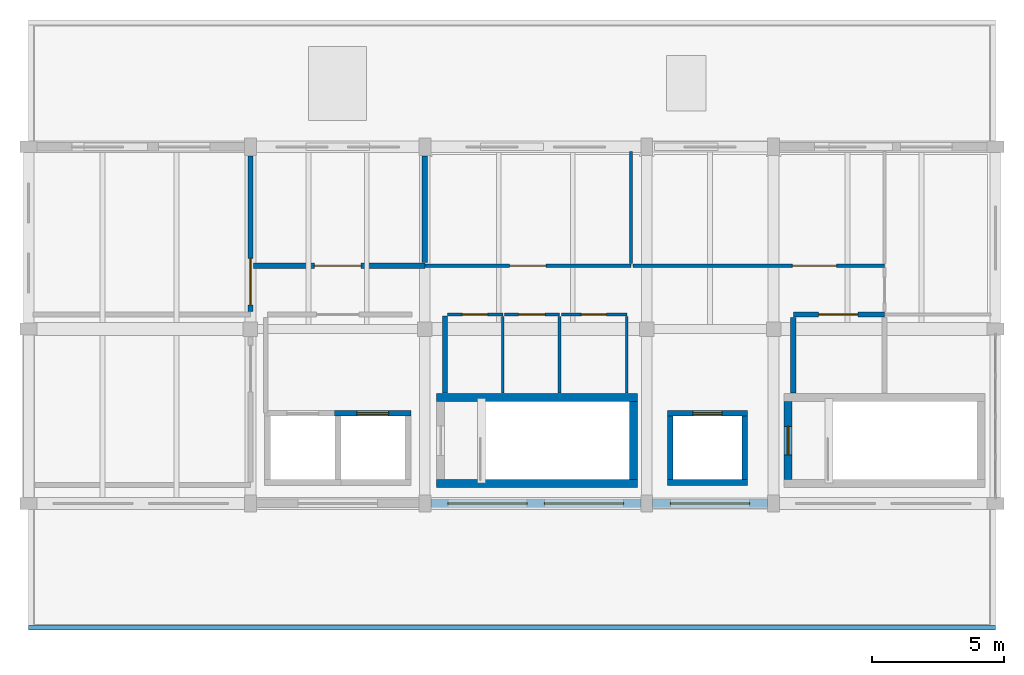
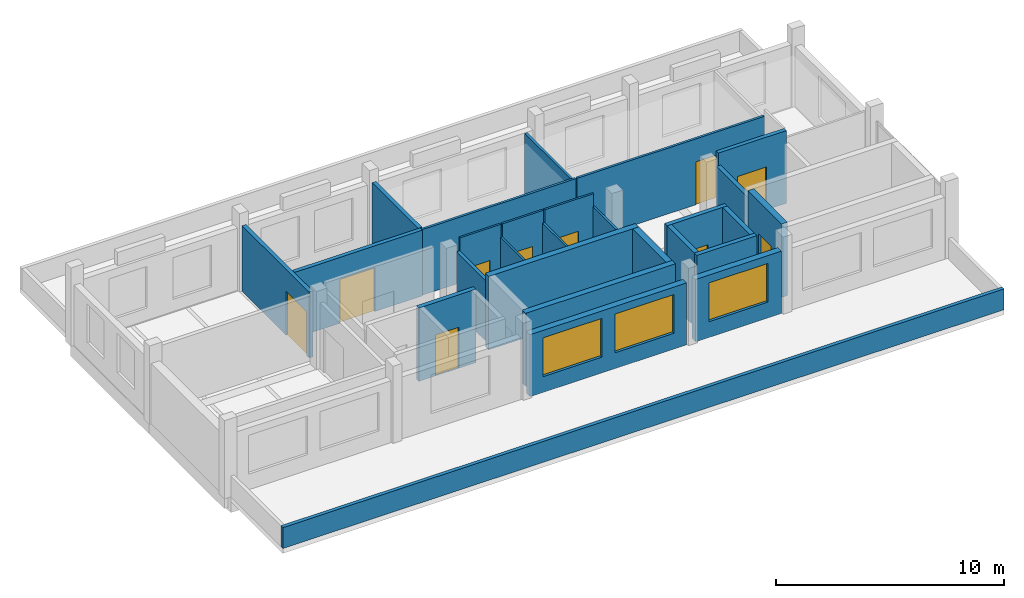
# One storey, part 4 of 6: 27 walls, 11 doors, 3 windows, 14 openings.
"""IFC4 building model written with IfcOpenShell, lengths in metres."""

from ifc_helpers import new_model, si_unit, direction, frame, frame_2d, origin, place, context, subcontext, project, spatial, rectangle, extrude, material, layer, layer_set, type_object, element, fill, save


model = new_model("IFC4")

# Units and contexts
model_context = context("Model", 3, precision=1e-05, world=origin(), true_north=direction((0.0, 1.0)))
body_context = subcontext(model_context, "Body", "Model", "MODEL_VIEW")
ifc_project = project(units=[si_unit("LENGTHUNIT", "METRE"), si_unit("AREAUNIT", "SQUARE_METRE"), si_unit("VOLUMEUNIT", "CUBIC_METRE"), si_unit("PLANEANGLEUNIT", "RADIAN"), si_unit("MASSUNIT", "GRAM", prefix="KILO")], contexts=[model_context])

# Site, building, storey
site_placement = place(None, origin())
site = spatial("IfcSite", under=ifc_project, at=site_placement, CompositionType="ELEMENT")
building_placement = place(site_placement, origin())
building = spatial("IfcBuilding", under=site, at=building_placement, Name="Dornvale Research Institute", CompositionType="ELEMENT")
storey_placement = place(building_placement, frame((0.0, 0.0, 46.800048828125)))
storey = spatial("IfcBuildingStorey", under=building, at=storey_placement, Name="L10", CompositionType="ELEMENT", Elevation=46.800048828125)

# Wall
ifc_material_1 = material(Name="Concrete f'c 40 MPa (C32/40)", Category="concrete")
ifc_layer_1 = layer(ifc_material_1, 0.179931640625)
ifc_layer_set_1 = layer_set([ifc_layer_1], Name="Concrete f'c 40 MPa (C32/40)")
wall_type_1 = type_object("IfcWallType", Name="Parapet_Terrace_180", PredefinedType="PARAPET", material=ifc_layer_set_1)
wall_1_placement = place(storey_placement, frame((4.800048828125, 99.090087890625, 0.0), z_axis=(0.0, 0.0, 1.0), x_axis=(1.0, 0.0, 0.0)))
element("IfcWall", 1, at=wall_1_placement, inside=storey, type_object=wall_type_1, Name="L10 L10APR-S parapet S", PredefinedType="PARAPET", context=body_context, shape_type="SweptSolid", body=[
    extrude(rectangle(XDim=36.599853515625, YDim=0.179931640625, at=frame_2d((18.2998046875, 0.0))), origin(), (0.0, 0.0, 1.0), 1.119873046875),
])

# Wall, opening, door
ifc_material_2 = material(Name="Acoustic Insulated Double-Stud Laboratory Partition")
ifc_layer_2 = layer(ifc_material_2, 0.1201171875)
ifc_layer_set_2 = layer_set([ifc_layer_2], Name="Acoustic Insulated Double-Stud Laboratory Partition")
wall_type_2 = type_object("IfcWallType", Name="Partition_Dry_120", PredefinedType="PARTITIONING", material=ifc_layer_set_2)
wall_2_placement = place(storey_placement, frame((19.81494140625, 112.800048828125, 0.0), z_axis=(0.0, 0.0, 1.0), x_axis=(1.0, 0.0, 0.0)))
wall_2 = element("IfcWall", 2, at=wall_2_placement, inside=storey, type_object=wall_type_2, Name="L10 V5 interior partition #620", PredefinedType="PARTITIONING", context=body_context, shape_type="SweptSolid", body=[
    extrude(rectangle(XDim=7.78515625, YDim=0.1201171875, at=frame_2d((3.892578125, 0.0))), origin(), (0.0, 0.0, 1.0), 3.530029296875),
])
opening_1_placement = place(wall_2_placement, frame((3.195068359375, 0.0, 0.0)))
opening_1 = element("IfcOpeningElement", 3, at=opening_1_placement, cuts=wall_2, Name="Opening ID-08", PredefinedType="OPENING", context=body_context, shape_type="SweptSolid", body=[
    extrude(rectangle(XDim=1.3798828125, YDim=2.25, at=frame_2d((0.68994140625, 1.125))), frame((0.0, 0.074951171875, 0.0), z_axis=(0.0, -1.0, 0.0), x_axis=(1.0, 0.0, 0.0)), (0.0, 0.0, 1.0), 0.150146484375),
])
ifc_material_3 = material(Name="Insulated Fire-Rated Hollow Metal Door Assembly")
door_type_1 = type_object("IfcDoorType", Name="Door_DryLab_1380x2250", OperationType="SINGLE_SWING_LEFT", PredefinedType="DOOR", material=ifc_material_3)
door_1_placement = place(opening_1_placement, origin())
door_1 = element("IfcDoor", 4, at=door_1_placement, inside=storey, type_object=door_type_1, Name="L10 Telemetry and Calibration Laboratory door #266", OperationType="SINGLE_SWING_LEFT", OverallHeight=2.25, OverallWidth=1.3798828125, PredefinedType="DOOR", context=body_context, shape_type="SweptSolid", body=[
    extrude(rectangle(XDim=1.3798828125, YDim=2.25, at=frame_2d((0.68994140625, 1.125))), frame((0.0, 0.02490234375, 0.0), z_axis=(0.0, -1.0, 0.0), x_axis=(1.0, 0.0, 0.0)), (0.0, 0.0, 1.0), 0.050048828125),
])
fill(opening_1, door_1)

# Wall
wall_3_placement = place(storey_placement, frame((27.60009765625, 112.875, 0.0), z_axis=(0.0, 0.0, 1.0), x_axis=(0.0, 1.0, 0.0)))
element("IfcWall", 5, at=wall_3_placement, inside=storey, type_object=wall_type_2, Name="L10 V5 interior partition #621", PredefinedType="PARTITIONING", context=body_context, shape_type="SweptSolid", body=[
    extrude(rectangle(XDim=4.25, YDim=0.1201171875, at=frame_2d((2.125, 0.0))), origin(), (0.0, 0.0, 1.0), 3.329833984375),
])

# Wall, opening, door
wall_4_placement = place(storey_placement, frame((27.675048828125, 112.800048828125, 0.0), z_axis=(0.0, 0.0, 1.0), x_axis=(1.0, 0.0, 0.0)))
wall_4 = element("IfcWall", 6, at=wall_4_placement, inside=storey, type_object=wall_type_2, Name="L10 V5 interior partition #622", PredefinedType="PARTITIONING", context=body_context, shape_type="SweptSolid", body=[
    extrude(rectangle(XDim=9.52490234375, YDim=0.1201171875, at=frame_2d((4.762451171875, 0.0))), origin(), (0.0, 0.0, 1.0), 3.530029296875),
])
opening_2_placement = place(wall_4_placement, frame((6.034912109375, 0.0, 0.0)))
opening_2 = element("IfcOpeningElement", 7, at=opening_2_placement, cuts=wall_4, Name="Opening ID-11", PredefinedType="OPENING", context=body_context, shape_type="SweptSolid", body=[
    extrude(rectangle(XDim=1.679931640625, YDim=2.300048828125, at=frame_2d((0.83984375, 1.14990234375))), frame((0.0, 0.074951171875, 0.0), z_axis=(0.0, -1.0, 0.0), x_axis=(1.0, 0.0, 0.0)), (0.0, 0.0, 1.0), 0.150146484375),
])
ifc_material_4 = material(Name="Phenolic-Faced Solid-Core Laboratory Door Assembly")
door_type_2 = type_object("IfcDoorType", Name="Door_Seminar_1680x2300", OperationType="SINGLE_SWING_LEFT", PredefinedType="DOOR", material=ifc_material_4)
door_2_placement = place(opening_2_placement, origin())
door_2 = element("IfcDoor", 8, at=door_2_placement, inside=storey, type_object=door_type_2, Name="L10 Systems Engineering Seminar Room L10 door #267", OperationType="DOUBLE_DOOR_SINGLE_SWING", OverallHeight=2.300048828125, OverallWidth=1.679931640625, PredefinedType="DOOR", context=body_context, shape_type="SweptSolid", body=[
    extrude(rectangle(XDim=1.679931640625, YDim=2.300048828125, at=frame_2d((0.83984375, 1.14990234375))), frame((0.0, 0.02490234375, 0.0), z_axis=(0.0, -1.0, 0.0), x_axis=(1.0, 0.0, 0.0)), (0.0, 0.0, 1.0), 0.050048828125),
])
fill(opening_2, door_2)

# Wall
ifc_material_5 = material(Name="Fire-Rated Gypsum Board on Cold-Formed Steel Studs", Category="steel")
ifc_layer_3 = layer(ifc_material_5, 0.179931640625)
ifc_layer_set_3 = layer_set([ifc_layer_3], Name="Fire-Rated Gypsum Board on Cold-Formed Steel Studs")
wall_type_3 = type_object("IfcWallType", Name="Partition_FireLobby_180", PredefinedType="PARTITIONING", material=ifc_layer_set_3)
wall_5_placement = place(storey_placement, frame((20.56005859375, 107.97998046875, 0.0), z_axis=(0.0, 0.0, 1.0), x_axis=(0.0, 1.0, 0.0)))
element("IfcWall", 9, at=wall_5_placement, inside=storey, type_object=wall_type_3, Name="L10 Fire Service Access Elevator Lobby east rated partition", PredefinedType="PARTITIONING", context=body_context, shape_type="SweptSolid", body=[
    extrude(rectangle(XDim=2.909912109375, YDim=0.179931640625, at=frame_2d((1.455078125, 0.0))), origin(), (0.0, 0.0, 1.0), 3.22998046875),
])

# Wall, opening, door
ifc_material_6 = material(Name="Fire-Rated Gypsum Board on Cold-Formed Steel Studs", Category="steel")
ifc_layer_4 = layer(ifc_material_6, 0.199951171875)
ifc_layer_set_4 = layer_set([ifc_layer_4], Name="Fire-Rated Gypsum Board on Cold-Formed Steel Studs")
wall_type_4 = type_object("IfcWallType", Name="Partition_FireWall_200", PredefinedType="PARTITIONING", material=ifc_layer_set_4)
wall_6_placement = place(storey_placement, frame((33.75, 110.949951171875, 0.0), z_axis=(0.0, 0.0, 1.0), x_axis=(1.0, 0.0, 0.0)))
wall_6 = element("IfcWall", 10, at=wall_6_placement, inside=storey, type_object=wall_type_4, Name="L10 V5 interior partition #614", PredefinedType="PARTITIONING", context=body_context, shape_type="SweptSolid", body=[
    extrude(rectangle(XDim=3.449951171875, YDim=0.199951171875, at=frame_2d((1.72509765625, 0.0))), origin(), (0.0, 0.0, 1.0), 3.89990234375),
])
opening_3_placement = place(wall_6_placement, frame((0.9599609375, 0.0, 0.0)))
opening_3 = element("IfcOpeningElement", 11, at=opening_3_placement, cuts=wall_6, Name="Opening ID-13", PredefinedType="OPENING", context=body_context, shape_type="SweptSolid", body=[
    extrude(rectangle(XDim=1.47998046875, YDim=2.300048828125, at=frame_2d((0.739990234375, 1.14990234375))), frame((0.0, 0.114990234375, 0.0), z_axis=(0.0, -1.0, 0.0), x_axis=(1.0, 0.0, 0.0)), (0.0, 0.0, 1.0), 0.22998046875),
])
ifc_material_7 = material(Name="Insulated Fire-Rated Hollow Metal Door Assembly")
door_type_3 = type_object("IfcDoorType", Name="Door_Archive_1480x2300", OperationType="SINGLE_SWING_LEFT", PredefinedType="DOOR", material=ifc_material_7)
door_3_placement = place(opening_3_placement, origin())
door_3 = element("IfcDoor", 12, at=door_3_placement, inside=storey, type_object=door_type_3, Name="L10 Rooftop Environmental Monitoring Archive door #263", OperationType="SINGLE_SWING_RIGHT", OverallHeight=2.300048828125, OverallWidth=1.47998046875, PredefinedType="DOOR", context=body_context, shape_type="SweptSolid", body=[
    extrude(rectangle(XDim=1.47998046875, YDim=2.300048828125, at=frame_2d((0.739990234375, 1.14990234375))), frame((0.0, 0.02490234375, 0.0), z_axis=(0.0, -1.0, 0.0), x_axis=(1.0, 0.0, 0.0)), (0.0, 0.0, 1.0), 0.050048828125),
])
fill(opening_3, door_3)

# Wall
wall_7_placement = place(storey_placement, frame((33.75, 107.97998046875, 0.0), z_axis=(0.0, 0.0, 1.0), x_axis=(0.0, 1.0, 0.0)))
element("IfcWall", 13, at=wall_7_placement, inside=storey, type_object=wall_type_4, Name="L10 V5 interior partition #615", PredefinedType="PARTITIONING", context=body_context, shape_type="SweptSolid", body=[
    extrude(rectangle(XDim=2.85498046875, YDim=0.199951171875, at=frame_2d((1.427490234375, 0.0))), origin(), (0.0, 0.0, 1.0), 3.22998046875),
])

# Wall, opening, door
wall_8_placement = place(storey_placement, frame((13.199951171875, 111.06494140625, 0.0), z_axis=(0.0, 0.0, 1.0), x_axis=(0.0, 1.0, 0.0)))
wall_8 = element("IfcWall", 14, at=wall_8_placement, inside=storey, type_object=wall_type_4, Name="L10 V5 interior partition #617", PredefinedType="PARTITIONING", context=body_context, shape_type="SweptSolid", body=[
    extrude(rectangle(XDim=5.89013671875, YDim=0.199951171875, at=frame_2d((2.945068359375, 0.0))), origin(), (0.0, 0.0, 1.0), 3.530029296875),
])
opening_4_placement = place(wall_8_placement, frame((0.25, 0.0, 0.0)))
opening_4 = element("IfcOpeningElement", 15, at=opening_4_placement, cuts=wall_8, Name="Opening ID-14", PredefinedType="OPENING", context=body_context, shape_type="SweptSolid", body=[
    extrude(rectangle(XDim=1.760009765625, YDim=2.35009765625, at=frame_2d((0.8798828125, 1.175048828125))), frame((0.0, 0.114990234375, 0.0), z_axis=(0.0, -1.0, 0.0), x_axis=(1.0, 0.0, 0.0)), (0.0, 0.0, 1.0), 0.22998046875),
])
ifc_material_8 = material(Name="Insulated Fire-Rated Hollow Metal Door Assembly")
door_type_4 = type_object("IfcDoorType", Name="Door_Plant_1760x2350", OperationType="SINGLE_SWING_LEFT", PredefinedType="DOOR", material=ifc_material_8)
door_4_placement = place(opening_4_placement, origin())
door_4 = element("IfcDoor", 16, at=door_4_placement, inside=storey, type_object=door_type_4, Name="L10 High-Performance Computing Chilled-Water Plant Room West Alcove door #264", OperationType="DOUBLE_DOOR_SINGLE_SWING", OverallHeight=2.35009765625, OverallWidth=1.760009765625, PredefinedType="DOOR", context=body_context, shape_type="SweptSolid", body=[
    extrude(rectangle(XDim=1.760009765625, YDim=2.35009765625, at=frame_2d((0.8798828125, 1.175048828125))), frame((0.0, 0.02490234375, 0.0), z_axis=(0.0, -1.0, 0.0), x_axis=(1.0, 0.0, 0.0)), (0.0, 0.0, 1.0), 0.050048828125),
])
fill(opening_4, door_4)

wall_9_placement = place(storey_placement, frame((13.31494140625, 112.800048828125, 0.0), z_axis=(0.0, 0.0, 1.0), x_axis=(1.0, 0.0, 0.0)))
wall_9 = element("IfcWall", 17, at=wall_9_placement, inside=storey, type_object=wall_type_4, Name="L10 V5 interior partition #618", PredefinedType="PARTITIONING", context=body_context, shape_type="SweptSolid", body=[
    extrude(rectangle(XDim=6.485107421875, YDim=0.199951171875, at=frame_2d((3.24267578125, 0.0))), origin(), (0.0, 0.0, 1.0), 3.530029296875),
])
opening_5_placement = place(wall_9_placement, frame((2.304931640625, 0.0, 0.0)))
opening_5 = element("IfcOpeningElement", 18, at=opening_5_placement, cuts=wall_9, Name="Opening ID-14", PredefinedType="OPENING", context=body_context, shape_type="SweptSolid", body=[
    extrude(rectangle(XDim=1.760009765625, YDim=2.35009765625, at=frame_2d((0.8798828125, 1.175048828125))), frame((0.0, 0.114990234375, 0.0), z_axis=(0.0, -1.0, 0.0), x_axis=(1.0, 0.0, 0.0)), (0.0, 0.0, 1.0), 0.22998046875),
])
door_5_placement = place(opening_5_placement, origin())
door_5 = element("IfcDoor", 19, at=door_5_placement, inside=storey, type_object=door_type_4, Name="L10 High-Performance Computing Chilled-Water Plant Room door #265", OperationType="DOUBLE_DOOR_SINGLE_SWING", OverallHeight=2.35009765625, OverallWidth=1.760009765625, PredefinedType="DOOR", context=body_context, shape_type="SweptSolid", body=[
    extrude(rectangle(XDim=1.760009765625, YDim=2.35009765625, at=frame_2d((0.8798828125, 1.175048828125))), frame((0.0, 0.02490234375, 0.0), z_axis=(0.0, -1.0, 0.0), x_axis=(1.0, 0.0, 0.0)), (0.0, 0.0, 1.0), 0.050048828125),
])
fill(opening_5, door_5)

# Wall
wall_10_placement = place(storey_placement, frame((19.800048828125, 112.9150390625, 0.0), z_axis=(0.0, 0.0, 1.0), x_axis=(0.0, 1.0, 0.0)))
element("IfcWall", 20, at=wall_10_placement, inside=storey, type_object=wall_type_4, Name="L10 V5 interior partition #619", PredefinedType="PARTITIONING", context=body_context, shape_type="SweptSolid", body=[
    extrude(rectangle(XDim=4.0400390625, YDim=0.199951171875, at=frame_2d((2.02001953125, 0.0))), origin(), (0.0, 0.0, 1.0), 3.530029296875),
])

# Wall, opening, door
ifc_material_9 = material(Name="Acoustic Insulated Double-Stud Laboratory Partition")
ifc_layer_5 = layer(ifc_material_9, 0.10009765625)
ifc_layer_set_5 = layer_set([ifc_layer_5], Name="Acoustic Insulated Double-Stud Laboratory Partition")
wall_type_5 = type_object("IfcWallType", Name="Partition_Office_100", PredefinedType="PARTITIONING", material=ifc_layer_set_5)
wall_11_placement = place(storey_placement, frame((20.6650390625, 110.949951171875, 0.0), z_axis=(0.0, 0.0, 1.0), x_axis=(1.0, 0.0, 0.0)))
wall_11 = element("IfcWall", 21, at=wall_11_placement, inside=storey, type_object=wall_type_5, Name="L10 V5 interior partition #605", PredefinedType="PARTITIONING", context=body_context, shape_type="SweptSolid", body=[
    extrude(rectangle(XDim=2.0849609375, YDim=0.10009765625, at=frame_2d((1.04248046875, 0.0))), origin(), (0.0, 0.0, 1.0), 3.89990234375),
])
opening_6_placement = place(wall_11_placement, frame((0.56005859375, 0.0, 0.0)))
opening_6 = element("IfcOpeningElement", 22, at=opening_6_placement, cuts=wall_11, Name="Opening ID-23", PredefinedType="OPENING", context=body_context, shape_type="SweptSolid", body=[
    extrude(rectangle(XDim=0.949951171875, YDim=2.14990234375, at=frame_2d((0.47509765625, 1.074951171875))), frame((0.0, 0.06494140625, 0.0), z_axis=(0.0, -1.0, 0.0), x_axis=(1.0, 0.0, 0.0)), (0.0, 0.0, 1.0), 0.130126953125),
])
ifc_material_10 = material(Name="Phenolic-Faced Solid-Core Laboratory Door Assembly")
door_type_5 = type_object("IfcDoorType", Name="Door_WC_950x2150", OperationType="SINGLE_SWING_LEFT", PredefinedType="DOOR", material=ifc_material_10)
door_6_placement = place(opening_6_placement, origin())
door_6 = element("IfcDoor", 23, at=door_6_placement, inside=storey, type_object=door_type_5, Name="L10 Male Restroom L10 door #259", OperationType="SINGLE_SWING_RIGHT", OverallHeight=2.14990234375, OverallWidth=0.949951171875, PredefinedType="DOOR", context=body_context, shape_type="SweptSolid", body=[
    extrude(rectangle(XDim=0.949951171875, YDim=2.14990234375, at=frame_2d((0.47509765625, 1.074951171875))), frame((0.0, 0.02490234375, 0.0), z_axis=(0.0, -1.0, 0.0), x_axis=(1.0, 0.0, 0.0)), (0.0, 0.0, 1.0), 0.050048828125),
])
fill(opening_6, door_6)

# Wall
wall_12_placement = place(storey_placement, frame((22.75, 107.97998046875, 0.0), z_axis=(0.0, 0.0, 1.0), x_axis=(0.0, 1.0, 0.0)))
element("IfcWall", 24, at=wall_12_placement, inside=storey, type_object=wall_type_5, Name="L10 V5 interior partition #606", PredefinedType="PARTITIONING", context=body_context, shape_type="SweptSolid", body=[
    extrude(rectangle(XDim=2.905029296875, YDim=0.10009765625, at=frame_2d((1.45263671875, 0.0))), origin(), (0.0, 0.0, 1.0), 3.22998046875),
])

# Wall, opening, door
wall_13_placement = place(storey_placement, frame((22.81494140625, 110.949951171875, 0.0), z_axis=(0.0, 0.0, 1.0), x_axis=(1.0, 0.0, 0.0)))
wall_13 = element("IfcWall", 25, at=wall_13_placement, inside=storey, type_object=wall_type_5, Name="L10 V5 interior partition #607", PredefinedType="PARTITIONING", context=body_context, shape_type="SweptSolid", body=[
    extrude(rectangle(XDim=2.0849609375, YDim=0.10009765625, at=frame_2d((1.04248046875, 0.0))), origin(), (0.0, 0.0, 1.0), 3.89990234375),
])
opening_7_placement = place(wall_13_placement, frame((0.534912109375, 0.0, 0.0)))
opening_7 = element("IfcOpeningElement", 26, at=opening_7_placement, cuts=wall_13, Name="Opening ID-24", PredefinedType="OPENING", context=body_context, shape_type="SweptSolid", body=[
    extrude(rectangle(XDim=1.0, YDim=2.14990234375, at=frame_2d((0.5, 1.074951171875))), frame((0.0, 0.06494140625, 0.0), z_axis=(0.0, -1.0, 0.0), x_axis=(1.0, 0.0, 0.0)), (0.0, 0.0, 1.0), 0.130126953125),
])
ifc_material_11 = material(Name="Phenolic-Faced Solid-Core Laboratory Door Assembly")
door_type_6 = type_object("IfcDoorType", Name="Door_AccWC_1000x2150", OperationType="SINGLE_SWING_LEFT", PredefinedType="DOOR", material=ifc_material_11)
door_7_placement = place(opening_7_placement, origin())
door_7 = element("IfcDoor", 27, at=door_7_placement, inside=storey, type_object=door_type_6, Name="L10 Female Restroom L10 door #260", OperationType="SINGLE_SWING_LEFT", OverallHeight=2.14990234375, OverallWidth=1.0, PredefinedType="DOOR", context=body_context, shape_type="SweptSolid", body=[
    extrude(rectangle(XDim=1.0, YDim=2.14990234375, at=frame_2d((0.5, 1.074951171875))), frame((0.0, 0.02490234375, 0.0), z_axis=(0.0, -1.0, 0.0), x_axis=(1.0, 0.0, 0.0)), (0.0, 0.0, 1.0), 0.050048828125),
])
fill(opening_7, door_7)

# Wall
wall_14_placement = place(storey_placement, frame((24.89990234375, 107.97998046875, 0.0), z_axis=(0.0, 0.0, 1.0), x_axis=(0.0, 1.0, 0.0)))
element("IfcWall", 28, at=wall_14_placement, inside=storey, type_object=wall_type_5, Name="L10 V5 interior partition #608", PredefinedType="PARTITIONING", context=body_context, shape_type="SweptSolid", body=[
    extrude(rectangle(XDim=2.905029296875, YDim=0.10009765625, at=frame_2d((1.45263671875, 0.0))), origin(), (0.0, 0.0, 1.0), 3.22998046875),
])

# Wall, opening, door
wall_15_placement = place(storey_placement, frame((24.965087890625, 110.949951171875, 0.0), z_axis=(0.0, 0.0, 1.0), x_axis=(1.0, 0.0, 0.0)))
wall_15 = element("IfcWall", 29, at=wall_15_placement, inside=storey, type_object=wall_type_5, Name="L10 V5 interior partition #609", PredefinedType="PARTITIONING", context=body_context, shape_type="SweptSolid", body=[
    extrude(rectangle(XDim=2.48486328125, YDim=0.10009765625, at=frame_2d((1.242431640625, 0.0))), origin(), (0.0, 0.0, 1.0), 3.89990234375),
])
opening_8_placement = place(wall_15_placement, frame((0.760009765625, 0.0, 0.0)))
opening_8 = element("IfcOpeningElement", 30, at=opening_8_placement, cuts=wall_15, Name="Opening ID-23", PredefinedType="OPENING", context=body_context, shape_type="SweptSolid", body=[
    extrude(rectangle(XDim=0.949951171875, YDim=2.14990234375, at=frame_2d((0.47509765625, 1.074951171875))), frame((0.0, 0.06494140625, 0.0), z_axis=(0.0, -1.0, 0.0), x_axis=(1.0, 0.0, 0.0)), (0.0, 0.0, 1.0), 0.130126953125),
])
door_8_placement = place(opening_8_placement, origin())
door_8 = element("IfcDoor", 31, at=door_8_placement, inside=storey, type_object=door_type_5, Name="L10 Accessible Restroom L10 door #261", OperationType="SINGLE_SWING_RIGHT", OverallHeight=2.14990234375, OverallWidth=0.949951171875, PredefinedType="DOOR", context=body_context, shape_type="SweptSolid", body=[
    extrude(rectangle(XDim=0.949951171875, YDim=2.14990234375, at=frame_2d((0.47509765625, 1.074951171875))), frame((0.0, 0.02490234375, 0.0), z_axis=(0.0, -1.0, 0.0), x_axis=(1.0, 0.0, 0.0)), (0.0, 0.0, 1.0), 0.050048828125),
])
fill(opening_8, door_8)

# Walls
wall_16_placement = place(storey_placement, frame((27.449951171875, 107.97998046875, 0.0), z_axis=(0.0, 0.0, 1.0), x_axis=(0.0, 1.0, 0.0)))
element("IfcWall", 32, at=wall_16_placement, inside=storey, type_object=wall_type_5, Name="L10 V5 interior partition #610", PredefinedType="PARTITIONING", context=body_context, shape_type="SweptSolid", body=[
    extrude(rectangle(XDim=2.905029296875, YDim=0.10009765625, at=frame_2d((1.45263671875, 0.0))), origin(), (0.0, 0.0, 1.0), 3.22998046875),
])
ifc_material_12 = material(Name="Concrete f'c 50 MPa (C40/50)", Category="concrete")
ifc_layer_6 = layer(ifc_material_12, 0.300048828125)
ifc_layer_set_6 = layer_set([ifc_layer_6], Name="Concrete f'c 50 MPa (C40/50)")
wall_type_6 = type_object("IfcWallType", Name="ShearWall_Core_300", PredefinedType="SHEAR", material=ifc_layer_set_6)
for number, where, z_axis, x_axis, name in (
    (33, (20.25, 104.550048828125, 0.0), (0.0, 0.0, 1.0), (1.0, 0.0, 0.0), "L10 ST-1 shaft shear wall south"),
    (34, (20.25, 107.81005859375, 0.0), (0.0, 0.0, 1.0), (1.0, 0.0, 0.0), "L10 ST-1 shaft shear wall north"),
):
    element("IfcWall", number, at=place(storey_placement, frame(where, z_axis=z_axis, x_axis=x_axis)), inside=storey, type_object=wall_type_6, Name=name, PredefinedType="SHEAR", context=body_context, shape_type="SweptSolid", body=[
        extrude(rectangle(XDim=7.60009765625, YDim=0.300048828125, at=frame_2d((3.800048828125, 0.0))), origin(), (0.0, 0.0, 1.0), 3.93994140625),
    ])
wall_17_placement = place(storey_placement, frame((27.699951171875, 104.699951171875, 0.0), z_axis=(0.0, 0.0, 1.0), x_axis=(0.0, 1.0, 0.0)))
element("IfcWall", 35, at=wall_17_placement, inside=storey, type_object=wall_type_6, Name="L10 ST-1 shaft shear wall east", PredefinedType="SHEAR", context=body_context, shape_type="SweptSolid", body=[
    extrude(rectangle(XDim=2.9599609375, YDim=0.300048828125, at=frame_2d((1.47998046875, 0.0))), origin(), (0.0, 0.0, 1.0), 3.93994140625),
])

# Wall, opening, door
wall_18_placement = place(storey_placement, frame((33.550048828125, 104.699951171875, 0.0), z_axis=(0.0, 0.0, 1.0), x_axis=(0.0, 1.0, 0.0)))
wall_18 = element("IfcWall", 36, at=wall_18_placement, inside=storey, type_object=wall_type_6, Name="L10 ST-2 shaft shear wall west", PredefinedType="SHEAR", context=body_context, shape_type="SweptSolid", body=[
    extrude(rectangle(XDim=2.9599609375, YDim=0.300048828125, at=frame_2d((1.47998046875, 0.0))), origin(), (0.0, 0.0, 1.0), 3.93994140625),
])
opening_9_placement = place(wall_18_placement, frame((0.93994140625, 0.0, 0.0)))
opening_9 = element("IfcOpeningElement", 37, at=opening_9_placement, cuts=wall_18, Name="Opening SD-02", PredefinedType="OPENING", context=body_context, shape_type="SweptSolid", body=[
    extrude(rectangle(XDim=1.080078125, YDim=2.199951171875, at=frame_2d((0.5400390625, 1.10009765625))), frame((0.0, 0.1650390625, 0.0), z_axis=(0.0, -1.0, 0.0), x_axis=(1.0, 0.0, 0.0)), (0.0, 0.0, 1.0), 0.330078125),
])
ifc_material_13 = material(Name="Insulated Fire-Rated Hollow Metal Door Assembly")
door_type_7 = type_object("IfcDoorType", Name="Door_Stair_1080x2200", OperationType="SINGLE_SWING_LEFT", PredefinedType="DOOR", material=ifc_material_13)
door_9_placement = place(opening_9_placement, origin())
door_9 = element("IfcDoor", 38, at=door_9_placement, inside=storey, type_object=door_type_7, Name="L10 ST-2 exit stair door #24", OperationType="SINGLE_SWING_LEFT", OverallHeight=2.199951171875, OverallWidth=1.080078125, PredefinedType="DOOR", context=body_context, shape_type="SweptSolid", body=[
    extrude(rectangle(XDim=1.080078125, YDim=2.199951171875, at=frame_2d((0.5400390625, 1.10009765625))), frame((0.0, 0.02490234375, 0.0), z_axis=(0.0, -1.0, 0.0), x_axis=(1.0, 0.0, 0.0)), (0.0, 0.0, 1.0), 0.050048828125),
])
fill(opening_9, door_9)

ifc_material_14 = material(Name="Concrete f'c 45 MPa (C35/45)", Category="concrete")
ifc_layer_7 = layer(ifc_material_14, 0.219970703125)
ifc_layer_set_7 = layer_set([ifc_layer_7], Name="Concrete f'c 45 MPa (C35/45)")
wall_type_7 = type_object("IfcWallType", Name="ShearWall_Shaft_220", PredefinedType="SHEAR", material=ifc_layer_set_7)
wall_19_placement = place(storey_placement, frame((16.3798828125, 107.2099609375, 0.0), z_axis=(0.0, 0.0, 1.0), x_axis=(1.0, 0.0, 0.0)))
wall_19 = element("IfcWall", 39, at=wall_19_placement, inside=storey, type_object=wall_type_7, Name="L10 FS2 elevator shaft wall north", PredefinedType="SHEAR", context=body_context, shape_type="SweptSolid", body=[
    extrude(rectangle(XDim=2.89013671875, YDim=0.219970703125, at=frame_2d((1.445068359375, 0.0))), origin(), (0.0, 0.0, 1.0), 3.93994140625),
])
opening_10_placement = place(wall_19_placement, frame((0.844970703125, 0.0, 0.0)))
opening_10 = element("IfcOpeningElement", 40, at=opening_10_placement, cuts=wall_19, Name="Opening LD-01", PredefinedType="OPENING", context=body_context, shape_type="SweptSolid", body=[
    extrude(rectangle(XDim=1.199951171875, YDim=2.199951171875, at=frame_2d((0.60009765625, 1.10009765625))), frame((0.0, 0.125, 0.0), z_axis=(0.0, -1.0, 0.0), x_axis=(1.0, 0.0, 0.0)), (0.0, 0.0, 1.0), 0.25),
])
ifc_material_15 = material(Name="Brushed Stainless Steel Sliding Elevator Landing Door", Category="steel")
door_type_8 = type_object("IfcDoorType", Name="Door_LiftLanding_FSAE_1200x2200", OperationType="SINGLE_SWING_LEFT", PredefinedType="DOOR", material=ifc_material_15)
door_10_placement = place(opening_10_placement, origin())
door_10 = element("IfcDoor", 41, at=door_10_placement, inside=storey, type_object=door_type_8, Name="L10 FS2 sliding elevator landing door #24", OperationType="DOUBLE_DOOR_SLIDING", OverallHeight=2.199951171875, OverallWidth=1.199951171875, PredefinedType="DOOR", context=body_context, shape_type="SweptSolid", body=[
    extrude(rectangle(XDim=1.199951171875, YDim=2.199951171875, at=frame_2d((0.60009765625, 1.10009765625))), frame((0.0, 0.02490234375, 0.0), z_axis=(0.0, -1.0, 0.0), x_axis=(1.0, 0.0, 0.0)), (0.0, 0.0, 1.0), 0.050048828125),
])
fill(opening_10, door_10)

# Wall
wall_20_placement = place(storey_placement, frame((28.97998046875, 104.590087890625, 0.0), z_axis=(0.0, 0.0, 1.0), x_axis=(1.0, 0.0, 0.0)))
element("IfcWall", 42, at=wall_20_placement, inside=storey, type_object=wall_type_7, Name="L10 LP1 elevator shaft wall south", PredefinedType="SHEAR", context=body_context, shape_type="SweptSolid", body=[
    extrude(rectangle(XDim=3.0400390625, YDim=0.219970703125, at=frame_2d((1.52001953125, 0.0))), origin(), (0.0, 0.0, 1.0), 3.93994140625),
])

# Wall, opening, door
wall_21_placement = place(storey_placement, frame((28.97998046875, 107.2099609375, 0.0), z_axis=(0.0, 0.0, 1.0), x_axis=(1.0, 0.0, 0.0)))
wall_21 = element("IfcWall", 43, at=wall_21_placement, inside=storey, type_object=wall_type_7, Name="L10 LP1 elevator shaft wall north", PredefinedType="SHEAR", context=body_context, shape_type="SweptSolid", body=[
    extrude(rectangle(XDim=3.0400390625, YDim=0.219970703125, at=frame_2d((1.52001953125, 0.0))), origin(), (0.0, 0.0, 1.0), 3.93994140625),
])
opening_11_placement = place(wall_21_placement, frame((0.969970703125, 0.0, 0.0)))
opening_11 = element("IfcOpeningElement", 44, at=opening_11_placement, cuts=wall_21, Name="Opening LD-02", PredefinedType="OPENING", context=body_context, shape_type="SweptSolid", body=[
    extrude(rectangle(XDim=1.10009765625, YDim=2.199951171875, at=frame_2d((0.550048828125, 1.10009765625))), frame((0.0, 0.125, 0.0), z_axis=(0.0, -1.0, 0.0), x_axis=(1.0, 0.0, 0.0)), (0.0, 0.0, 1.0), 0.25),
])
ifc_material_16 = material(Name="Brushed Stainless Steel Sliding Elevator Landing Door", Category="steel")
door_type_9 = type_object("IfcDoorType", Name="Door_LiftLanding_Pass_1100x2200", OperationType="SINGLE_SWING_LEFT", PredefinedType="DOOR", material=ifc_material_16)
door_11_placement = place(opening_11_placement, origin())
door_11 = element("IfcDoor", 45, at=door_11_placement, inside=storey, type_object=door_type_9, Name="L10 LP1 sliding elevator landing door #36", OperationType="SLIDING_TO_LEFT", OverallHeight=2.199951171875, OverallWidth=1.10009765625, PredefinedType="DOOR", context=body_context, shape_type="SweptSolid", body=[
    extrude(rectangle(XDim=1.10009765625, YDim=2.199951171875, at=frame_2d((0.550048828125, 1.10009765625))), frame((0.0, 0.02490234375, 0.0), z_axis=(0.0, -1.0, 0.0), x_axis=(1.0, 0.0, 0.0)), (0.0, 0.0, 1.0), 0.050048828125),
])
fill(opening_11, door_11)

# Walls
for number, where, z_axis, x_axis, name in (
    (46, (29.090087890625, 104.699951171875, 0.0), (0.0, 0.0, 1.0), (0.0, 1.0, 0.0), "L10 LP1 elevator shaft wall west"),
    (47, (31.909912109375, 104.699951171875, 0.0), (0.0, 0.0, 1.0), (0.0, 1.0, 0.0), "L10 LP1 elevator shaft wall east"),
):
    element("IfcWall", number, at=place(storey_placement, frame(where, z_axis=z_axis, x_axis=x_axis)), inside=storey, type_object=wall_type_7, Name=name, PredefinedType="SHEAR", context=body_context, shape_type="SweptSolid", body=[
        extrude(rectangle(XDim=2.400146484375, YDim=0.219970703125, at=frame_2d((1.2001953125, 0.0))), origin(), (0.0, 0.0, 1.0), 3.93994140625),
    ])

# Wall, opening, window
ifc_material_17 = material(Name="Catalan Pressed Brick and Insulated Cavity Assembly", Category="masonry")
ifc_layer_8 = layer(ifc_material_17, 0.320068359375)
ifc_layer_set_8 = layer_set([ifc_layer_8], Name="Catalan Pressed Brick and Insulated Cavity Assembly")
wall_type_8 = type_object("IfcWallType", Name="StandardWall_BrickCavity_320", PredefinedType="STANDARD", material=ifc_layer_set_8)
wall_22_placement = place(storey_placement, frame((32.77490234375, 103.800048828125, 0.0), z_axis=(0.0, 0.0, 1.0), x_axis=(-1.0, 0.0, 0.0)))
wall_22 = element("IfcWall", 48, at=wall_22_placement, inside=storey, type_object=wall_type_8, Name="L10 V5 south exterior wall #423", PredefinedType="STANDARD", context=body_context, shape_type="SweptSolid", body=[
    extrude(rectangle(XDim=4.349853515625, YDim=0.320068359375, at=frame_2d((2.1748046875, 0.0))), origin(), (0.0, 0.0, 1.0), 3.349853515625),
])
opening_12_placement = place(wall_22_placement, frame((0.675048828125, 0.0, 0.85009765625)))
opening_12 = element("IfcOpeningElement", 49, at=opening_12_placement, cuts=wall_22, Name="Opening W-48", PredefinedType="OPENING", context=body_context, shape_type="SweptSolid", body=[
    extrude(rectangle(XDim=3.0, YDim=2.080078125, at=frame_2d((1.5, 1.0400390625))), frame((0.0, 0.175048828125, 0.0), z_axis=(0.0, -1.0, 0.0), x_axis=(1.0, 0.0, 0.0)), (0.0, 0.0, 1.0), 0.35009765625),
])
ifc_material_18 = material(Name="Low-E Argon Double Insulating Glazing Unit", Category="glass")
window_type = type_object("IfcWindowType", Name="Window_Alu_3000x2080_48", PartitioningType="DOUBLE_PANEL_VERTICAL", PredefinedType="WINDOW", material=ifc_material_18)
window_1_placement = place(opening_12_placement, origin())
window_1 = element("IfcWindow", 50, at=window_1_placement, inside=storey, type_object=window_type, Name="L10 V5 facade window W-48 #566", OverallHeight=2.080078125, OverallWidth=3.0, PartitioningType="DOUBLE_PANEL_VERTICAL", PredefinedType="WINDOW", context=body_context, shape_type="SweptSolid", body=[
    extrude(rectangle(XDim=3.0, YDim=2.080078125, at=frame_2d((1.5, 1.0400390625))), frame((0.0, 0.030029296875, 0.0), z_axis=(0.0, -1.0, 0.0), x_axis=(1.0, 0.0, 0.0)), (0.0, 0.0, 1.0), 0.06005859375),
])
fill(opening_12, window_1)

# Wall, openings, windows
wall_23_placement = place(storey_placement, frame((27.97509765625, 103.800048828125, 0.0), z_axis=(0.0, 0.0, 1.0), x_axis=(-1.0, 0.0, 0.0)))
wall_23 = element("IfcWall", 51, at=wall_23_placement, inside=storey, type_object=wall_type_8, Name="L10 V5 south exterior wall #424", PredefinedType="STANDARD", context=body_context, shape_type="SweptSolid", body=[
    extrude(rectangle(XDim=7.9501953125, YDim=0.320068359375, at=frame_2d((3.97509765625, 0.0))), origin(), (0.0, 0.0, 1.0), 3.329833984375),
])
opening_13_placement = place(wall_23_placement, frame((0.64990234375, 0.0, 0.85009765625)))
opening_13 = element("IfcOpeningElement", 52, at=opening_13_placement, cuts=wall_23, Name="Opening W-48", PredefinedType="OPENING", context=body_context, shape_type="SweptSolid", body=[
    extrude(rectangle(XDim=3.0, YDim=2.080078125, at=frame_2d((1.5, 1.0400390625))), frame((0.0, 0.175048828125, 0.0), z_axis=(0.0, -1.0, 0.0), x_axis=(1.0, 0.0, 0.0)), (0.0, 0.0, 1.0), 0.35009765625),
])
opening_14_placement = place(wall_23_placement, frame((4.300048828125, 0.0, 0.85009765625)))
opening_14 = element("IfcOpeningElement", 53, at=opening_14_placement, cuts=wall_23, Name="Opening W-48", PredefinedType="OPENING", context=body_context, shape_type="SweptSolid", body=[
    extrude(rectangle(XDim=3.0, YDim=2.080078125, at=frame_2d((1.5, 1.0400390625))), frame((0.0, 0.175048828125, 0.0), z_axis=(0.0, -1.0, 0.0), x_axis=(1.0, 0.0, 0.0)), (0.0, 0.0, 1.0), 0.35009765625),
])
window_2_placement = place(opening_13_placement, origin())
window_2 = element("IfcWindow", 54, at=window_2_placement, inside=storey, type_object=window_type, Name="L10 V5 facade window W-48 #567", OverallHeight=2.080078125, OverallWidth=3.0, PartitioningType="DOUBLE_PANEL_VERTICAL", PredefinedType="WINDOW", context=body_context, shape_type="SweptSolid", body=[
    extrude(rectangle(XDim=3.0, YDim=2.080078125, at=frame_2d((1.5, 1.0400390625))), frame((0.0, 0.030029296875, 0.0), z_axis=(0.0, -1.0, 0.0), x_axis=(1.0, 0.0, 0.0)), (0.0, 0.0, 1.0), 0.06005859375),
])
fill(opening_13, window_2)
window_3_placement = place(opening_14_placement, origin())
window_3 = element("IfcWindow", 55, at=window_3_placement, inside=storey, type_object=window_type, Name="L10 V5 facade window W-48 #568", OverallHeight=2.080078125, OverallWidth=3.0, PartitioningType="DOUBLE_PANEL_VERTICAL", PredefinedType="WINDOW", context=body_context, shape_type="SweptSolid", body=[
    extrude(rectangle(XDim=3.0, YDim=2.080078125, at=frame_2d((1.5, 1.0400390625))), frame((0.0, 0.030029296875, 0.0), z_axis=(0.0, -1.0, 0.0), x_axis=(1.0, 0.0, 0.0)), (0.0, 0.0, 1.0), 0.06005859375),
])
fill(opening_14, window_3)

save(model, "model.ifc")
